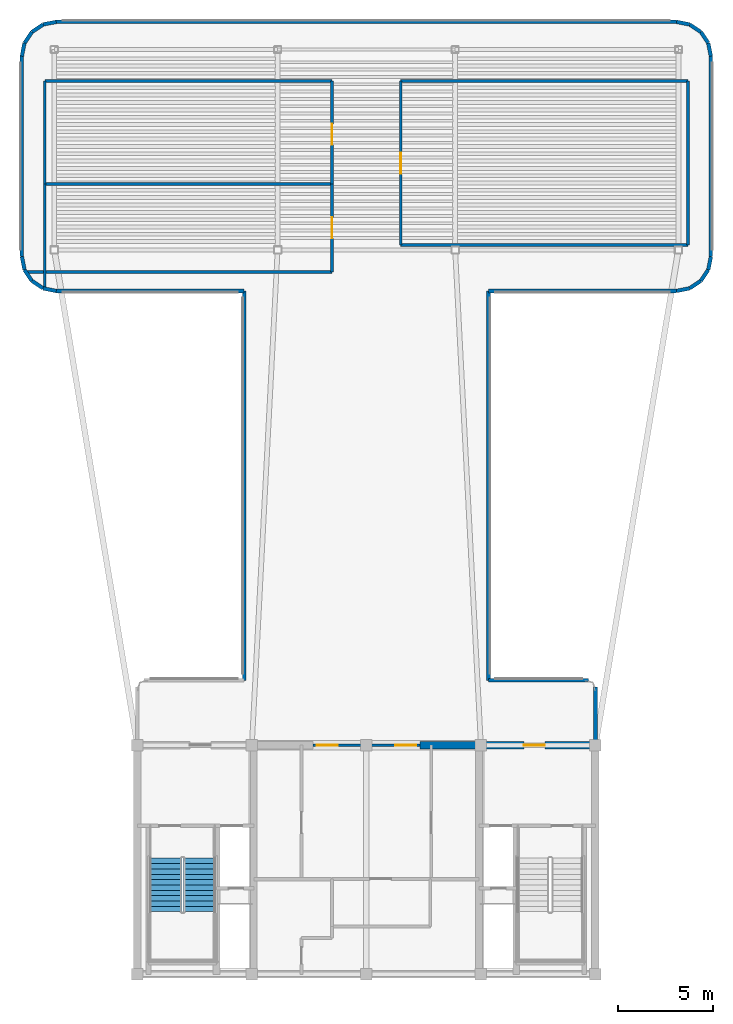
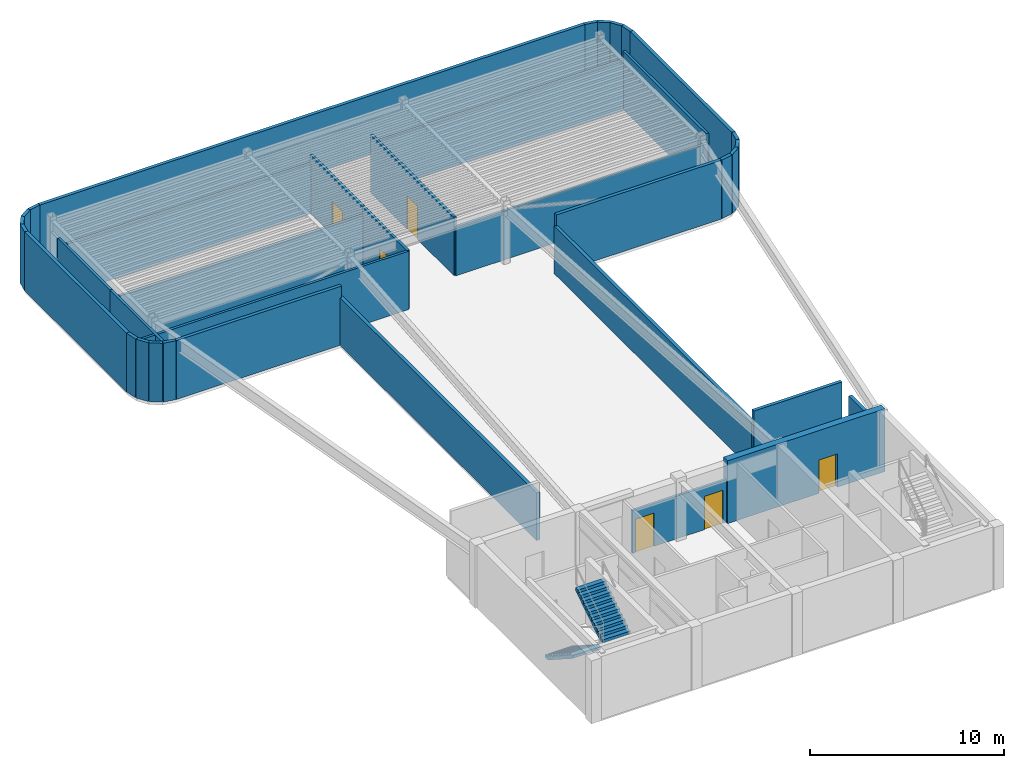
# One storey, part 3 of 6: 38 walls, 6 doors, 2 stair flights, 6 openings, 1 element without a shape of its own.
"""IFC4 building model written with IfcOpenShell, lengths in metres."""

from ifc_helpers import new_model, si_unit, direction, frame, frame_2d, origin, origin_2d, place, context, subcontext, project, spatial, polyline, rectangle, outline, extrude, source, transform, mapped, material, layer, layer_set, type_object, element, fill, aggregate, save


model = new_model("IFC4")

# Units and contexts
model_context = context("Model", 3, precision=1e-05, world=origin(), true_north=direction((0.0, 1.0)))
body_context = subcontext(model_context, "Body", "Model", "MODEL_VIEW")
ifc_project = project(units=[si_unit("LENGTHUNIT", "METRE"), si_unit("AREAUNIT", "SQUARE_METRE"), si_unit("VOLUMEUNIT", "CUBIC_METRE"), si_unit("PLANEANGLEUNIT", "RADIAN"), si_unit("MASSUNIT", "GRAM", prefix="KILO")], contexts=[model_context])

# Site, building, storey
site_placement = place(None, origin())
site = spatial("IfcSite", under=ifc_project, at=site_placement, CompositionType="ELEMENT")
building_placement = place(site_placement, origin())
building = spatial("IfcBuilding", under=site, at=building_placement, Name="Brelvock Crest Care Tower", CompositionType="ELEMENT")
storey_placement = place(building_placement, frame((0.0, 0.0, 307.800048828125)))
storey = spatial("IfcBuildingStorey", under=building, at=storey_placement, Name="L78", CompositionType="ELEMENT", Elevation=307.800048828125)

# Wall, opening, door
ifc_material_1 = material(Name="Concrete S65 (65 MPa)", Category="concrete")
ifc_layer_1 = layer(ifc_material_1, 0.39990234375, Name="WL-CS4")
ifc_layer_set_1 = layer_set([ifc_layer_1], Name="Concrete S65 (65 MPa)")
wall_type_1 = type_object("IfcWallType", Name="WL-CS4", PredefinedType="SHEAR", material=ifc_layer_set_1)
wall_1_placement = place(storey_placement, frame((38.800048828125, 18.0, 0.0), z_axis=(0.0, 0.0, 1.0), x_axis=(1.0, 0.0, 0.0)))
wall_1 = element("IfcWall", 1, at=wall_1_placement, inside=storey, type_object=wall_type_1, Name="L78 Core North-East Shear Wall", PredefinedType="SHEAR", context=body_context, shape_type="SweptSolid", body=[
    extrude(rectangle(XDim=9.39990234375, YDim=0.39990234375, at=frame_2d((4.699951171875, 0.0))), origin(), (0.0, 0.0, 1.0), 3.9599609375),
])
opening_1_placement = place(wall_1_placement, frame((5.449951171875, 0.0, 0.0)))
opening_1 = element("IfcOpeningElement", 2, at=opening_1_placement, cuts=wall_1, Name="Opening FD-1", PredefinedType="OPENING", context=body_context, shape_type="SweptSolid", body=[
    extrude(rectangle(XDim=1.10009765625, YDim=2.10009765625, at=origin_2d()), frame((0.550048828125, 0.2099609375, 1.050048828125), z_axis=(0.0, -1.0, 0.0), x_axis=(1.0, 0.0, 0.0)), (0.0, 0.0, 1.0), 0.419921875),
])
ifc_material_2 = material(Name="Steel Grade 350", Category="steel")
door_type_1 = type_object("IfcDoorType", Name="DR-FFL1", OperationType="NOTDEFINED", PredefinedType="DOOR", material=ifc_material_2)
shared_shape_1 = source(origin(), body_context, "Body", "SweptSolid", [
    extrude(rectangle(XDim=1.10009765625, YDim=2.10009765625, at=origin_2d()), frame((0.550048828125, 0.02490234375, 1.050048828125), z_axis=(0.0, -1.0, 0.0), x_axis=(1.0, 0.0, 0.0)), (0.0, 0.0, 1.0), 0.050048828125),
])
door_1_placement = place(opening_1_placement, origin())
door_1 = element("IfcDoor", 3, at=door_1_placement, inside=storey, type_object=door_type_1, Name="L78 Firefighting Lobby FFL-2 Exit Door", OperationType="SINGLE_SWING_RIGHT", OverallHeight=2.10009765625, OverallWidth=1.10009765625, PredefinedType="DOOR", context=body_context, shape_type="MappedRepresentation", body=[
    mapped(shared_shape_1, transform((0.0, 0.0, 0.0), x_axis=(1.0, 0.0, 0.0), y_axis=(0.0, 1.0, 0.0), z_axis=(0.0, 0.0, 1.0), scale=1.0)),
])
fill(opening_1, door_1)

# Walls
ifc_material_3 = material(Name="Precast concrete N40 (40 MPa)", Category="concrete")
ifc_layer_2 = layer(ifc_material_3, 0.195068359375, Name="WL-EX3")
ifc_layer_set_2 = layer_set([ifc_layer_2], Name="Precast concrete N40 (40 MPa)")
wall_type_2 = type_object("IfcWallType", Name="WL-EX3", PredefinedType="SOLIDWALL", material=ifc_layer_set_2)
wall_2_placement = place(storey_placement, frame((48.0, 21.050048828125, 0.0), z_axis=(0.0, 0.0, 1.0), x_axis=(0.0, -1.0, 0.0)))
element("IfcWall", 4, at=wall_2_placement, inside=storey, type_object=wall_type_2, Name="L78 Crown and Plant Cladding Wall 02", PredefinedType="SOLIDWALL", context=body_context, shape_type="SweptSolid", body=[
    extrude(rectangle(XDim=2.77001953125, YDim=0.195068359375, at=frame_2d((1.385009765625, 0.0))), origin(), (0.0, 0.0, 1.0), 2.89794921875),
])
wall_3_placement = place(storey_placement, frame((29.60009765625, 21.39990234375, 0.0), z_axis=(0.0, 0.0, 1.0), x_axis=(0.0, 1.0, 0.0)))
element("IfcWall", 5, at=wall_3_placement, inside=storey, type_object=wall_type_2, Name="L78 Crown and Plant Cladding Wall 12", PredefinedType="SOLIDWALL", context=body_context, shape_type="SweptSolid", body=[
    extrude(rectangle(XDim=20.400146484375, YDim=0.195068359375, at=frame_2d((10.2001953125, 0.0))), origin(), (0.0, 0.0, 1.0), 2.998046875),
])
wall_4_placement = place(storey_placement, frame((29.60009765625, 41.800048828125, 0.0), z_axis=(0.0, 0.0, 1.0), x_axis=(-1.0, 0.0, 0.0)))
element("IfcWall", 6, at=wall_4_placement, inside=storey, type_object=wall_type_2, Name="L78 Crown and Plant Cladding Wall 13", PredefinedType="SOLIDWALL", context=body_context, shape_type="SweptSolid", body=[
    extrude(rectangle(XDim=9.85009765625, YDim=0.195068359375, at=frame_2d((4.925048828125, 0.0))), origin(), (0.0, 0.0, 1.0), 3.7099609375),
])
wall_5_placement = place(storey_placement, frame((19.75, 41.800048828125, 0.0), z_axis=(0.0, 0.0, 1.0), x_axis=(-0.980794046625, 0.195046246068, 0.0)))
element("IfcWall", 7, at=wall_5_placement, inside=storey, type_object=wall_type_2, Name="L78 Crown and Plant Cladding Wall 14", PredefinedType="SOLIDWALL", context=body_context, shape_type="SweptSolid", body=[
    extrude(rectangle(XDim=0.7021484375, YDim=0.195068359375, at=frame_2d((0.35107421875, 0.0))), origin(), (0.0, 0.0, 1.0), 3.7099609375),
])
for number, where, z_axis, x_axis, name in (
    (8, (19.061279296875, 41.93701171875, 0.0), (0.0, 0.0, 1.0), (-0.831515102434, 0.555502146192, 0.0), "L78 Crown and Plant Cladding Wall 15"),
    (9, (18.477294921875, 42.3271484375, 0.0), (0.0, 0.0, 1.0), (-0.555742429414, 0.831354528555, 0.0), "L78 Crown and Plant Cladding Wall 16"),
    (10, (18.0869140625, 42.9111328125, 0.0), (0.0, 0.0, 1.0), (-0.194979757801, 0.980807266515, 0.0), "L78 Crown and Plant Cladding Wall 17"),
):
    element("IfcWall", number, at=place(storey_placement, frame(where, z_axis=z_axis, x_axis=x_axis)), inside=storey, type_object=wall_type_2, Name=name, PredefinedType="SOLIDWALL", context=body_context, shape_type="SweptSolid", body=[
        extrude(rectangle(XDim=0.702392578125, YDim=0.195068359375, at=frame_2d((0.35107421875, 0.0))), origin(), (0.0, 0.0, 1.0), 3.7099609375),
    ])
wall_6_placement = place(storey_placement, frame((17.949951171875, 43.60009765625, 0.0), z_axis=(0.0, 0.0, 1.0), x_axis=(0.0, 1.0, 0.0)))
element("IfcWall", 11, at=wall_6_placement, inside=storey, type_object=wall_type_2, Name="L78 Crown and Plant Cladding Wall 18", PredefinedType="SOLIDWALL", context=body_context, shape_type="SweptSolid", body=[
    extrude(rectangle(XDim=10.5, YDim=0.195068359375, at=frame_2d((5.25, 0.0))), origin(), (0.0, 0.0, 1.0), 3.7099609375),
])
wall_7_placement = place(storey_placement, frame((17.949951171875, 54.10009765625, 0.0), z_axis=(0.0, 0.0, 1.0), x_axis=(0.195046246068, 0.980794046625, 0.0)))
element("IfcWall", 12, at=wall_7_placement, inside=storey, type_object=wall_type_2, Name="L78 Crown and Plant Cladding Wall 19", PredefinedType="SOLIDWALL", context=body_context, shape_type="SweptSolid", body=[
    extrude(rectangle(XDim=0.7021484375, YDim=0.195068359375, at=frame_2d((0.35107421875, 0.0))), origin(), (0.0, 0.0, 1.0), 3.7099609375),
])
for number, where, z_axis, x_axis, name in (
    (13, (18.0869140625, 54.788818359375, 0.0), (0.0, 0.0, 1.0), (0.555742429414, 0.831354528555, 0.0), "L78 Crown and Plant Cladding Wall 20"),
    (14, (18.477294921875, 55.372802734375, 0.0), (0.0, 0.0, 1.0), (0.831515102434, 0.555502146192, 0.0), "L78 Crown and Plant Cladding Wall 21"),
):
    element("IfcWall", number, at=place(storey_placement, frame(where, z_axis=z_axis, x_axis=x_axis)), inside=storey, type_object=wall_type_2, Name=name, PredefinedType="SOLIDWALL", context=body_context, shape_type="SweptSolid", body=[
        extrude(rectangle(XDim=0.702392578125, YDim=0.195068359375, at=frame_2d((0.35107421875, 0.0))), origin(), (0.0, 0.0, 1.0), 3.7099609375),
    ])
wall_8_placement = place(storey_placement, frame((19.061279296875, 55.762939453125, 0.0), z_axis=(0.0, 0.0, 1.0), x_axis=(0.980794046625, 0.195046246068, 0.0)))
element("IfcWall", 15, at=wall_8_placement, inside=storey, type_object=wall_type_2, Name="L78 Crown and Plant Cladding Wall 22", PredefinedType="SOLIDWALL", context=body_context, shape_type="SweptSolid", body=[
    extrude(rectangle(XDim=0.7021484375, YDim=0.195068359375, at=frame_2d((0.35107421875, 0.0))), origin(), (0.0, 0.0, 1.0), 3.7099609375),
])
wall_9_placement = place(storey_placement, frame((19.75, 55.89990234375, 0.0), z_axis=(0.0, 0.0, 1.0), x_axis=(1.0, 0.0, 0.0)))
element("IfcWall", 16, at=wall_9_placement, inside=storey, type_object=wall_type_2, Name="L78 Crown and Plant Cladding Wall 23", PredefinedType="SOLIDWALL", context=body_context, shape_type="SweptSolid", body=[
    extrude(rectangle(XDim=32.5, YDim=0.195068359375, at=frame_2d((16.25, 0.0))), origin(), (0.0, 0.0, 1.0), 3.7099609375),
])
wall_10_placement = place(storey_placement, frame((52.25, 55.89990234375, 0.0), z_axis=(0.0, 0.0, 1.0), x_axis=(0.980794046625, -0.195046246068, 0.0)))
element("IfcWall", 17, at=wall_10_placement, inside=storey, type_object=wall_type_2, Name="L78 Crown and Plant Cladding Wall 24", PredefinedType="SOLIDWALL", context=body_context, shape_type="SweptSolid", body=[
    extrude(rectangle(XDim=0.7021484375, YDim=0.195068359375, at=frame_2d((0.35107421875, 0.0))), origin(), (0.0, 0.0, 1.0), 3.7099609375),
])
for number, where, z_axis, x_axis, name in (
    (18, (52.938720703125, 55.762939453125, 0.0), (0.0, 0.0, 1.0), (0.831515102434, -0.555502146192, 0.0), "L78 Crown and Plant Cladding Wall 25"),
    (19, (53.522705078125, 55.372802734375, 0.0), (0.0, 0.0, 1.0), (0.555742429414, -0.831354528555, 0.0), "L78 Crown and Plant Cladding Wall 26"),
):
    element("IfcWall", number, at=place(storey_placement, frame(where, z_axis=z_axis, x_axis=x_axis)), inside=storey, type_object=wall_type_2, Name=name, PredefinedType="SOLIDWALL", context=body_context, shape_type="SweptSolid", body=[
        extrude(rectangle(XDim=0.702392578125, YDim=0.195068359375, at=frame_2d((0.35107421875, 0.0))), origin(), (0.0, 0.0, 1.0), 3.7099609375),
    ])
wall_11_placement = place(storey_placement, frame((53.9130859375, 54.788818359375, 0.0), z_axis=(0.0, 0.0, 1.0), x_axis=(0.195046246068, -0.980794046625, 0.0)))
element("IfcWall", 20, at=wall_11_placement, inside=storey, type_object=wall_type_2, Name="L78 Crown and Plant Cladding Wall 27", PredefinedType="SOLIDWALL", context=body_context, shape_type="SweptSolid", body=[
    extrude(rectangle(XDim=0.7021484375, YDim=0.195068359375, at=frame_2d((0.35107421875, 0.0))), origin(), (0.0, 0.0, 1.0), 3.7099609375),
])
wall_12_placement = place(storey_placement, frame((54.050048828125, 54.10009765625, 0.0), z_axis=(0.0, 0.0, 1.0), x_axis=(0.0, -1.0, 0.0)))
element("IfcWall", 21, at=wall_12_placement, inside=storey, type_object=wall_type_2, Name="L78 Crown and Plant Cladding Wall 28", PredefinedType="SOLIDWALL", context=body_context, shape_type="SweptSolid", body=[
    extrude(rectangle(XDim=10.5, YDim=0.195068359375, at=frame_2d((5.25, 0.0))), origin(), (0.0, 0.0, 1.0), 3.7099609375),
])
for number, where, z_axis, x_axis, name in (
    (22, (54.050048828125, 43.60009765625, 0.0), (0.0, 0.0, 1.0), (-0.194979757801, -0.980807266515, 0.0), "L78 Crown and Plant Cladding Wall 29"),
    (23, (53.9130859375, 42.9111328125, 0.0), (0.0, 0.0, 1.0), (-0.555742429414, -0.831354528555, 0.0), "L78 Crown and Plant Cladding Wall 30"),
    (24, (53.522705078125, 42.3271484375, 0.0), (0.0, 0.0, 1.0), (-0.831515102434, -0.555502146192, 0.0), "L78 Crown and Plant Cladding Wall 31"),
):
    element("IfcWall", number, at=place(storey_placement, frame(where, z_axis=z_axis, x_axis=x_axis)), inside=storey, type_object=wall_type_2, Name=name, PredefinedType="SOLIDWALL", context=body_context, shape_type="SweptSolid", body=[
        extrude(rectangle(XDim=0.702392578125, YDim=0.195068359375, at=frame_2d((0.35107421875, 0.0))), origin(), (0.0, 0.0, 1.0), 3.7099609375),
    ])
wall_13_placement = place(storey_placement, frame((52.938720703125, 41.93701171875, 0.0), z_axis=(0.0, 0.0, 1.0), x_axis=(-0.980794046625, -0.195046246068, 0.0)))
element("IfcWall", 25, at=wall_13_placement, inside=storey, type_object=wall_type_2, Name="L78 Crown and Plant Cladding Wall 32", PredefinedType="SOLIDWALL", context=body_context, shape_type="SweptSolid", body=[
    extrude(rectangle(XDim=0.7021484375, YDim=0.195068359375, at=frame_2d((0.35107421875, 0.0))), origin(), (0.0, 0.0, 1.0), 3.7099609375),
])
wall_14_placement = place(storey_placement, frame((52.25, 41.800048828125, 0.0), z_axis=(0.0, 0.0, 1.0), x_axis=(-1.0, 0.0, 0.0)))
element("IfcWall", 26, at=wall_14_placement, inside=storey, type_object=wall_type_2, Name="L78 Crown and Plant Cladding Wall 33", PredefinedType="SOLIDWALL", context=body_context, shape_type="SweptSolid", body=[
    extrude(rectangle(XDim=9.85009765625, YDim=0.195068359375, at=frame_2d((4.925048828125, 0.0))), origin(), (0.0, 0.0, 1.0), 3.7099609375),
])
wall_15_placement = place(storey_placement, frame((42.39990234375, 41.800048828125, 0.0), z_axis=(0.0, 0.0, 1.0), x_axis=(0.0, -1.0, 0.0)))
element("IfcWall", 27, at=wall_15_placement, inside=storey, type_object=wall_type_2, Name="L78 Crown and Plant Cladding Wall 34", PredefinedType="SOLIDWALL", context=body_context, shape_type="SweptSolid", body=[
    extrude(rectangle(XDim=20.400146484375, YDim=0.195068359375, at=frame_2d((10.2001953125, 0.0))), origin(), (0.0, 0.0, 1.0), 2.998046875),
])
wall_16_placement = place(storey_placement, frame((42.39990234375, 21.39990234375, 0.0), z_axis=(0.0, 0.0, 1.0), x_axis=(1.0, 0.0, 0.0)))
element("IfcWall", 28, at=wall_16_placement, inside=storey, type_object=wall_type_2, Name="L78 Crown and Plant Cladding Wall 35", PredefinedType="SOLIDWALL", context=body_context, shape_type="SweptSolid", body=[
    extrude(rectangle(XDim=5.25, YDim=0.195068359375, at=frame_2d((2.625, 0.0))), origin(), (0.0, 0.0, 1.0), 3.7099609375),
])

# Wall, openings, doors
ifc_material_4 = material(Name="Masonry Blockwork Acoustic Partition", Category="masonry")
ifc_layer_3 = layer(ifc_material_4, 0.14990234375, Name="WL-INT1")
ifc_layer_set_3 = layer_set([ifc_layer_3], Name="Masonry Blockwork Acoustic Partition")
wall_type_3 = type_object("IfcWallType", Name="WL-INT1", PredefinedType="PARTITIONING", material=ifc_layer_set_3)
wall_17_placement = place(storey_placement, frame((33.199951171875, 18.0, 0.0), z_axis=(0.0, 0.0, 1.0), x_axis=(1.0, 0.0, 0.0)))
wall_17 = element("IfcWall", 29, at=wall_17_placement, inside=storey, type_object=wall_type_3, Name="L78 Interior Wall WL-CORE-NPORT-L78", PredefinedType="PARTITIONING", context=body_context, shape_type="SweptSolid", body=[
    extrude(rectangle(XDim=5.60009765625, YDim=0.14990234375, at=frame_2d((2.800048828125, 0.0))), origin(), (0.0, 0.0, 1.0), 2.695068359375),
])
opening_2_placement = place(wall_17_placement, frame((0.18994140625, 0.0, 0.0)))
opening_2 = element("IfcOpeningElement", 30, at=opening_2_placement, cuts=wall_17, Name="Opening FD-1", PredefinedType="OPENING", context=body_context, shape_type="SweptSolid", body=[
    extrude(rectangle(XDim=1.10009765625, YDim=2.10009765625, at=origin_2d()), frame((0.550048828125, 0.0849609375, 1.050048828125), z_axis=(0.0, -1.0, 0.0), x_axis=(1.0, 0.0, 0.0)), (0.0, 0.0, 1.0), 0.169921875),
])
opening_3_placement = place(wall_17_placement, frame((4.31005859375, 0.0, 0.0)))
opening_3 = element("IfcOpeningElement", 31, at=opening_3_placement, cuts=wall_17, Name="Opening FD-1", PredefinedType="OPENING", context=body_context, shape_type="SweptSolid", body=[
    extrude(rectangle(XDim=1.10009765625, YDim=2.10009765625, at=origin_2d()), frame((0.550048828125, 0.0849609375, 1.050048828125), z_axis=(0.0, -1.0, 0.0), x_axis=(1.0, 0.0, 0.0)), (0.0, 0.0, 1.0), 0.169921875),
])
door_2_placement = place(opening_2_placement, origin())
door_2 = element("IfcDoor", 32, at=door_2_placement, inside=storey, type_object=door_type_1, Name="L78 Lift Lobby North Smoke Door West", OperationType="SINGLE_SWING_LEFT", OverallHeight=2.10009765625, OverallWidth=1.10009765625, PredefinedType="DOOR", context=body_context, shape_type="MappedRepresentation", body=[
    mapped(shared_shape_1, transform((0.0, 0.0, 0.0), x_axis=(1.0, 0.0, 0.0), y_axis=(0.0, 1.0, 0.0), z_axis=(0.0, 0.0, 1.0), scale=1.0)),
])
fill(opening_2, door_2)
door_3_placement = place(opening_3_placement, origin())
door_3 = element("IfcDoor", 33, at=door_3_placement, inside=storey, type_object=door_type_1, Name="L78 Lift Lobby North Smoke Door East", OperationType="SINGLE_SWING_RIGHT", OverallHeight=2.10009765625, OverallWidth=1.10009765625, PredefinedType="DOOR", context=body_context, shape_type="MappedRepresentation", body=[
    mapped(shared_shape_1, transform((0.0, 0.0, 0.0), x_axis=(1.0, 0.0, 0.0), y_axis=(0.0, 1.0, 0.0), z_axis=(0.0, 0.0, 1.0), scale=1.0)),
])
fill(opening_3, door_3)

# Walls
wall_18_placement = place(storey_placement, frame((18.257568359375, 42.800048828125, 0.0), z_axis=(0.0, 0.0, 1.0), x_axis=(1.0, 0.0, 0.0)))
element("IfcWall", 34, at=wall_18_placement, inside=storey, type_object=wall_type_3, Name="L78 Interior Wall WL-BX-L78-CRMS-S", PredefinedType="PARTITIONING", context=body_context, shape_type="SweptSolid", body=[
    extrude(rectangle(XDim=15.9423828125, YDim=0.14990234375, at=frame_2d((7.97119140625, 0.0))), origin(), (0.0, 0.0, 1.0), 3.679931640625),
])
wall_19_placement = place(storey_placement, frame((37.800048828125, 44.199951171875, 0.0), z_axis=(0.0, 0.0, 1.0), x_axis=(1.0, 0.0, 0.0)))
element("IfcWall", 35, at=wall_19_placement, inside=storey, type_object=wall_type_3, Name="L78 Interior Wall WL-BX-L78-CRME-S", PredefinedType="PARTITIONING", context=body_context, shape_type="SweptSolid", body=[
    extrude(rectangle(XDim=15.050048828125, YDim=0.14990234375, at=frame_2d((7.52490234375, 0.0))), origin(), (0.0, 0.0, 1.0), 3.0830078125),
])
for number, where, z_axis, x_axis, name in (
    (36, (19.14990234375, 47.39990234375, 0.0), (0.0, 0.0, 1.0), (1.0, 0.0, 0.0), "L78 Interior Wall WL-BX-L78-CRMS-N"),
    (37, (19.14990234375, 52.800048828125, 0.0), (0.0, 0.0, 1.0), (1.0, 0.0, 0.0), "L78 Interior Wall WL-BX-L78-CRMW-N"),
    (38, (37.800048828125, 52.800048828125, 0.0), (0.0, 0.0, 1.0), (1.0, 0.0, 0.0), "L78 Interior Wall WL-BX-L78-CRME-N"),
):
    element("IfcWall", number, at=place(storey_placement, frame(where, z_axis=z_axis, x_axis=x_axis)), inside=storey, type_object=wall_type_3, Name=name, PredefinedType="PARTITIONING", context=body_context, shape_type="SweptSolid", body=[
        extrude(rectangle(XDim=15.050048828125, YDim=0.14990234375, at=frame_2d((7.52490234375, 0.0))), origin(), (0.0, 0.0, 1.0), 3.161865234375),
    ])
wall_20_placement = place(storey_placement, frame((19.14990234375, 42.0009765625, 0.0), z_axis=(0.0, 0.0, 1.0), x_axis=(0.0, 1.0, 0.0)))
element("IfcWall", 39, at=wall_20_placement, inside=storey, type_object=wall_type_3, Name="L78 Interior Wall WL-BX-L78-CRMS-W", PredefinedType="PARTITIONING", context=body_context, shape_type="SweptSolid", body=[
    extrude(rectangle(XDim=5.39892578125, YDim=0.14990234375, at=frame_2d((2.699462890625, 0.0))), origin(), (0.0, 0.0, 1.0), 3.679931640625),
])
wall_21_placement = place(storey_placement, frame((19.14990234375, 47.39990234375, 0.0), z_axis=(0.0, 0.0, 1.0), x_axis=(0.0, 1.0, 0.0)))
element("IfcWall", 40, at=wall_21_placement, inside=storey, type_object=wall_type_3, Name="L78 Interior Wall WL-BX-L78-CRMW-W", PredefinedType="PARTITIONING", context=body_context, shape_type="SweptSolid", body=[
    extrude(rectangle(XDim=5.400146484375, YDim=0.14990234375, at=frame_2d((2.7001953125, 0.0))), origin(), (0.0, 0.0, 1.0), 3.679931640625),
])

# Wall, opening, door
wall_22_placement = place(storey_placement, frame((34.199951171875, 42.800048828125, 0.0), z_axis=(0.0, 0.0, 1.0), x_axis=(0.0, 1.0, 0.0)))
wall_22 = element("IfcWall", 41, at=wall_22_placement, inside=storey, type_object=wall_type_3, Name="L78 Interior Wall WL-RM-L78-CRMS", PredefinedType="PARTITIONING", context=body_context, shape_type="SweptSolid", body=[
    extrude(rectangle(XDim=4.599853515625, YDim=0.14990234375, at=frame_2d((2.2998046875, 0.0))), origin(), (0.0, 0.0, 1.0), 3.679931640625),
])
opening_4_placement = place(wall_22_placement, frame((1.75, 0.0, 0.0)))
opening_4 = element("IfcOpeningElement", 42, at=opening_4_placement, cuts=wall_22, Name="Opening PD-1", PredefinedType="OPENING", context=body_context, shape_type="SweptSolid", body=[
    extrude(rectangle(XDim=1.10009765625, YDim=2.10009765625, at=origin_2d()), frame((0.550048828125, 0.0849609375, 1.050048828125), z_axis=(0.0, -1.0, 0.0), x_axis=(1.0, 0.0, 0.0)), (0.0, 0.0, 1.0), 0.169921875),
])
door_type_2 = type_object("IfcDoorType", Name="DR-PLT1", OperationType="NOTDEFINED", PredefinedType="DOOR", material=ifc_material_2)
shared_shape_2 = source(origin(), body_context, "Body", "SweptSolid", [
    extrude(rectangle(XDim=1.10009765625, YDim=2.10009765625, at=origin_2d()), frame((0.550048828125, 0.02490234375, 1.050048828125), z_axis=(0.0, -1.0, 0.0), x_axis=(1.0, 0.0, 0.0)), (0.0, 0.0, 1.0), 0.050048828125),
])
door_4_placement = place(opening_4_placement, origin())
door_4 = element("IfcDoor", 43, at=door_4_placement, inside=storey, type_object=door_type_2, Name="L78 Tuned Mass Damper Control Plant Door CRMS", OperationType="SINGLE_SWING_LEFT", OverallHeight=2.10009765625, OverallWidth=1.10009765625, PredefinedType="DOOR", context=body_context, shape_type="MappedRepresentation", body=[
    mapped(shared_shape_2, transform((0.0, 0.0, 0.0), x_axis=(1.0, 0.0, 0.0), y_axis=(0.0, 1.0, 0.0), z_axis=(0.0, 0.0, 1.0), scale=1.0)),
])
fill(opening_4, door_4)

wall_23_placement = place(storey_placement, frame((34.199951171875, 47.39990234375, 0.0), z_axis=(0.0, 0.0, 1.0), x_axis=(0.0, 1.0, 0.0)))
wall_23 = element("IfcWall", 44, at=wall_23_placement, inside=storey, type_object=wall_type_3, Name="L78 Interior Wall WL-RM-L78-CRMW", PredefinedType="PARTITIONING", context=body_context, shape_type="SweptSolid", body=[
    extrude(rectangle(XDim=5.400146484375, YDim=0.14990234375, at=frame_2d((2.7001953125, 0.0))), origin(), (0.0, 0.0, 1.0), 3.679931640625),
])
opening_5_placement = place(wall_23_placement, frame((2.050048828125, 0.0, 0.0)))
opening_5 = element("IfcOpeningElement", 45, at=opening_5_placement, cuts=wall_23, Name="Opening PD-1", PredefinedType="OPENING", context=body_context, shape_type="SweptSolid", body=[
    extrude(rectangle(XDim=1.10009765625, YDim=2.10009765625, at=origin_2d()), frame((0.550048828125, 0.0849609375, 1.050048828125), z_axis=(0.0, -1.0, 0.0), x_axis=(1.0, 0.0, 0.0)), (0.0, 0.0, 1.0), 0.169921875),
])
door_5_placement = place(opening_5_placement, origin())
door_5 = element("IfcDoor", 46, at=door_5_placement, inside=storey, type_object=door_type_2, Name="L78 Tuned Mass Damper Hydraulic Plant Door CRMW", OperationType="SINGLE_SWING_LEFT", OverallHeight=2.10009765625, OverallWidth=1.10009765625, PredefinedType="DOOR", context=body_context, shape_type="MappedRepresentation", body=[
    mapped(shared_shape_2, transform((0.0, 0.0, 0.0), x_axis=(1.0, 0.0, 0.0), y_axis=(0.0, 1.0, 0.0), z_axis=(0.0, 0.0, 1.0), scale=1.0)),
])
fill(opening_5, door_5)

wall_24_placement = place(storey_placement, frame((37.800048828125, 44.199951171875, 0.0), z_axis=(0.0, 0.0, 1.0), x_axis=(0.0, 1.0, 0.0)))
wall_24 = element("IfcWall", 47, at=wall_24_placement, inside=storey, type_object=wall_type_3, Name="L78 Interior Wall WL-RM-L78-CRME", PredefinedType="PARTITIONING", context=body_context, shape_type="SweptSolid", body=[
    extrude(rectangle(XDim=8.60009765625, YDim=0.14990234375, at=frame_2d((4.300048828125, 0.0))), origin(), (0.0, 0.0, 1.0), 3.679931640625),
])
opening_6_placement = place(wall_24_placement, frame((3.75, 0.0, 0.0)))
opening_6 = element("IfcOpeningElement", 48, at=opening_6_placement, cuts=wall_24, Name="Opening PD-1", PredefinedType="OPENING", context=body_context, shape_type="SweptSolid", body=[
    extrude(rectangle(XDim=1.10009765625, YDim=2.10009765625, at=origin_2d()), frame((0.550048828125, 0.0849609375, 1.050048828125), z_axis=(0.0, -1.0, 0.0), x_axis=(1.0, 0.0, 0.0)), (0.0, 0.0, 1.0), 0.169921875),
])
door_6_placement = place(opening_6_placement, origin())
door_6 = element("IfcDoor", 49, at=door_6_placement, inside=storey, type_object=door_type_2, Name="L78 Emergency Generator Mechanical Plant Door CRME", OperationType="SINGLE_SWING_LEFT", OverallHeight=2.10009765625, OverallWidth=1.10009765625, PredefinedType="DOOR", context=body_context, shape_type="MappedRepresentation", body=[
    mapped(shared_shape_2, transform((0.0, 0.0, 0.0), x_axis=(1.0, 0.0, 0.0), y_axis=(0.0, 1.0, 0.0), z_axis=(0.0, 0.0, 1.0), scale=1.0)),
])
fill(opening_6, door_6)

# Wall
wall_25_placement = place(storey_placement, frame((52.85009765625, 44.199951171875, 0.0), z_axis=(0.0, 0.0, 1.0), x_axis=(0.0, 1.0, 0.0)))
element("IfcWall", 50, at=wall_25_placement, inside=storey, type_object=wall_type_3, Name="L78 Interior Wall WL-BX-L78-CRME-E", PredefinedType="PARTITIONING", context=body_context, shape_type="SweptSolid", body=[
    extrude(rectangle(XDim=8.60009765625, YDim=0.14990234375, at=frame_2d((4.300048828125, 0.0))), origin(), (0.0, 0.0, 1.0), 3.679931640625),
])

# Stair, stair flights
ifc_material_5 = material(Name="Concrete N40 (40 MPa)", Category="concrete")
stair_type = type_object("IfcStairType", Name="ST-CORE1", PredefinedType="HALF_TURN_STAIR", material=ifc_material_5)
stair_placement = place(storey_placement, origin())
stair = element("IfcStair", 51, at=stair_placement, inside=storey, type_object=stair_type, Name="L78 Fire-Isolated Core Stair ST-1", PredefinedType="HALF_TURN_STAIR")
stair_flight_type = type_object("IfcStairFlightType", Name="STF-1", PredefinedType="STRAIGHT", material=ifc_material_5)
stair_flight_1_placement = place(storey_placement, frame((25.469970703125, 12.080078125, 0.0), z_axis=(0.0, 0.0, 1.0), x_axis=(0.0, -1.0, 0.0)))
stair_flight_1 = element("IfcStairFlight", 52, at=stair_flight_1_placement, type_object=stair_flight_type, Name="ST-1 flight 1", NumberOfRisers=11, NumberOfTreads=10, PredefinedType="STRAIGHT", RiserHeight=0.18, TreadLength=0.28, context=body_context, shape_type="SweptSolid", body=[
    extrude(outline(polyline([(-0.00390625, -0.014892578125), (-0.00390625, -0.008056640625), (-0.00390625, -0.0009765625), (-0.00390625, 0.005859375), (-0.00390625, 0.012939453125), (-0.00390625, 0.019775390625), (-0.00390625, 0.02685546875), (-0.00390625, 0.03369140625), (-0.00390625, 0.040771484375), (-0.00390625, 0.047607421875), (-0.00390625, 0.0546875), (-0.00390625, 0.0615234375), (-0.00390625, 0.068603515625), (-0.00390625, 0.075439453125), (-0.00390625, 0.08251953125), (-0.00390625, 0.08935546875), (-0.00390625, 0.096435546875), (-0.00390625, 0.103271484375), (-0.00390625, 0.1103515625), (-0.00390625, 0.117431640625), (-0.00390625, 0.124267578125), (-0.00390625, 0.13134765625), (-0.00390625, 0.13818359375), (-0.00390625, 0.145263671875), (-0.00390625, 0.152099609375), (-0.00390625, 0.1591796875), (-0.00390625, 0.166015625), (-0.00390625, 0.173095703125), (-0.00390625, 0.179931640625), (0.0, 0.179931640625), (0.280029296875, 0.179931640625), (0.280029296875, 0.360107421875), (0.56005859375, 0.360107421875), (0.56005859375, 0.5400390625), (0.840087890625, 0.5400390625), (0.840087890625, 0.719970703125), (1.1201171875, 0.719970703125), (1.1201171875, 0.89990234375), (1.39990234375, 0.89990234375), (1.39990234375, 1.080078125), (1.679931640625, 1.080078125), (1.679931640625, 1.260009765625), (1.9599609375, 1.260009765625), (1.9599609375, 1.43994140625), (2.239990234375, 1.43994140625), (2.239990234375, 1.6201171875), (2.52001953125, 1.6201171875), (2.52001953125, 1.800048828125), (2.800048828125, 1.800048828125), (2.803955078125, 1.800048828125), (2.8037109375, 1.79931640625), (2.803955078125, 1.798828125), (2.8037109375, 1.798095703125), (2.803955078125, 1.79736328125), (2.8037109375, 1.796875), (2.803955078125, 1.796142578125), (2.8037109375, 1.79541015625), (2.803955078125, 1.794921875), (2.8037109375, 1.794189453125), (2.803955078125, 1.79345703125), (2.8037109375, 1.79296875), (2.803955078125, 1.792236328125), (2.8037109375, 1.791748046875), (2.803955078125, 1.791015625), (2.8037109375, 1.790283203125), (2.803955078125, 1.789794921875), (2.8037109375, 1.7890625), (2.803955078125, 1.788330078125), (2.8037109375, 1.787841796875), (2.803955078125, 1.787109375), (2.8037109375, 1.78662109375), (2.803955078125, 1.785888671875), (2.8037109375, 1.78515625), (2.803955078125, 1.78466796875), (2.8037109375, 1.783935546875), (2.803955078125, 1.783203125), (2.8037109375, 1.78271484375), (2.803955078125, 1.781982421875), (2.800048828125, 1.621826171875), (0.277099609375, 0.0), (0.0, 0.0), (0.0, -0.014892578125), (-0.00390625, -0.014892578125)])), frame((0.0, 0.83984375, 0.0), z_axis=(0.0, -1.0, 0.0), x_axis=(1.0, 0.0, 0.0)), (0.0, 0.0, 1.0), 1.679931640625),
])
stair_flight_2_placement = place(storey_placement, frame((27.27001953125, 9.280029296875, 1.97998046875), z_axis=(0.0, 0.0, 1.0), x_axis=(0.0, 1.0, 0.0)))
stair_flight_2 = element("IfcStairFlight", 53, at=stair_flight_2_placement, type_object=stair_flight_type, Name="ST-1 flight 2", NumberOfRisers=11, NumberOfTreads=10, PredefinedType="STRAIGHT", RiserHeight=0.18, TreadLength=0.28, context=body_context, shape_type="SweptSolid", body=[
    extrude(outline(polyline([(-0.00390625, -0.014892578125), (-0.00390625, -0.008056640625), (-0.00390625, -0.0009765625), (-0.00390625, 0.005859375), (-0.00390625, 0.012939453125), (-0.00390625, 0.019775390625), (-0.00390625, 0.02685546875), (-0.00390625, 0.03369140625), (-0.00390625, 0.040771484375), (-0.00390625, 0.047607421875), (-0.00390625, 0.0546875), (-0.00390625, 0.0615234375), (-0.00390625, 0.068603515625), (-0.00390625, 0.075439453125), (-0.00390625, 0.08251953125), (-0.00390625, 0.08935546875), (-0.00390625, 0.096435546875), (-0.00390625, 0.103271484375), (-0.00390625, 0.1103515625), (-0.00390625, 0.117431640625), (-0.00390625, 0.124267578125), (-0.00390625, 0.13134765625), (-0.00390625, 0.13818359375), (-0.00390625, 0.145263671875), (-0.00390625, 0.152099609375), (-0.00390625, 0.1591796875), (-0.00390625, 0.166015625), (-0.00390625, 0.173095703125), (-0.00390625, 0.179931640625), (0.0, 0.179931640625), (0.280029296875, 0.179931640625), (0.280029296875, 0.360107421875), (0.56005859375, 0.360107421875), (0.56005859375, 0.5400390625), (0.840087890625, 0.5400390625), (0.840087890625, 0.719970703125), (1.1201171875, 0.719970703125), (1.1201171875, 0.89990234375), (1.39990234375, 0.89990234375), (1.39990234375, 1.080078125), (1.679931640625, 1.080078125), (1.679931640625, 1.260009765625), (1.9599609375, 1.260009765625), (1.9599609375, 1.43994140625), (2.239990234375, 1.43994140625), (2.239990234375, 1.6201171875), (2.52001953125, 1.6201171875), (2.52001953125, 1.800048828125), (2.800048828125, 1.800048828125), (2.803955078125, 1.800048828125), (2.8037109375, 1.79931640625), (2.803955078125, 1.798828125), (2.8037109375, 1.798095703125), (2.803955078125, 1.79736328125), (2.8037109375, 1.796875), (2.803955078125, 1.796142578125), (2.8037109375, 1.79541015625), (2.803955078125, 1.794921875), (2.8037109375, 1.794189453125), (2.803955078125, 1.79345703125), (2.8037109375, 1.79296875), (2.803955078125, 1.792236328125), (2.8037109375, 1.791748046875), (2.803955078125, 1.791015625), (2.8037109375, 1.790283203125), (2.803955078125, 1.789794921875), (2.8037109375, 1.7890625), (2.803955078125, 1.788330078125), (2.8037109375, 1.787841796875), (2.803955078125, 1.787109375), (2.8037109375, 1.78662109375), (2.803955078125, 1.785888671875), (2.8037109375, 1.78515625), (2.803955078125, 1.78466796875), (2.8037109375, 1.783935546875), (2.803955078125, 1.783203125), (2.8037109375, 1.78271484375), (2.803955078125, 1.781982421875), (2.800048828125, 1.621826171875), (0.277099609375, 0.0), (0.0, 0.0), (0.0, -0.014892578125), (-0.00390625, -0.014892578125)])), frame((0.0, 0.83984375, 0.0), z_axis=(0.0, -1.0, 0.0), x_axis=(1.0, 0.0, 0.0)), (0.0, 0.0, 1.0), 1.679931640625),
])
aggregate(stair, [stair_flight_1, stair_flight_2])

save(model, "model.ifc")
